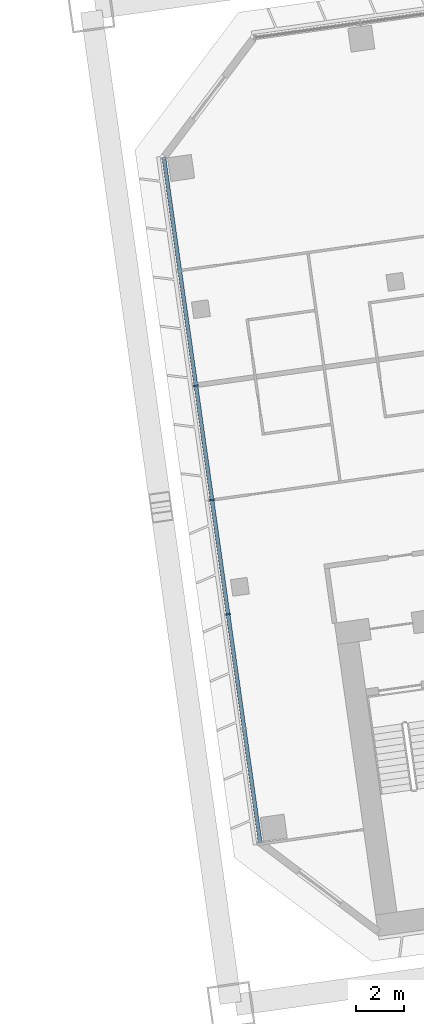
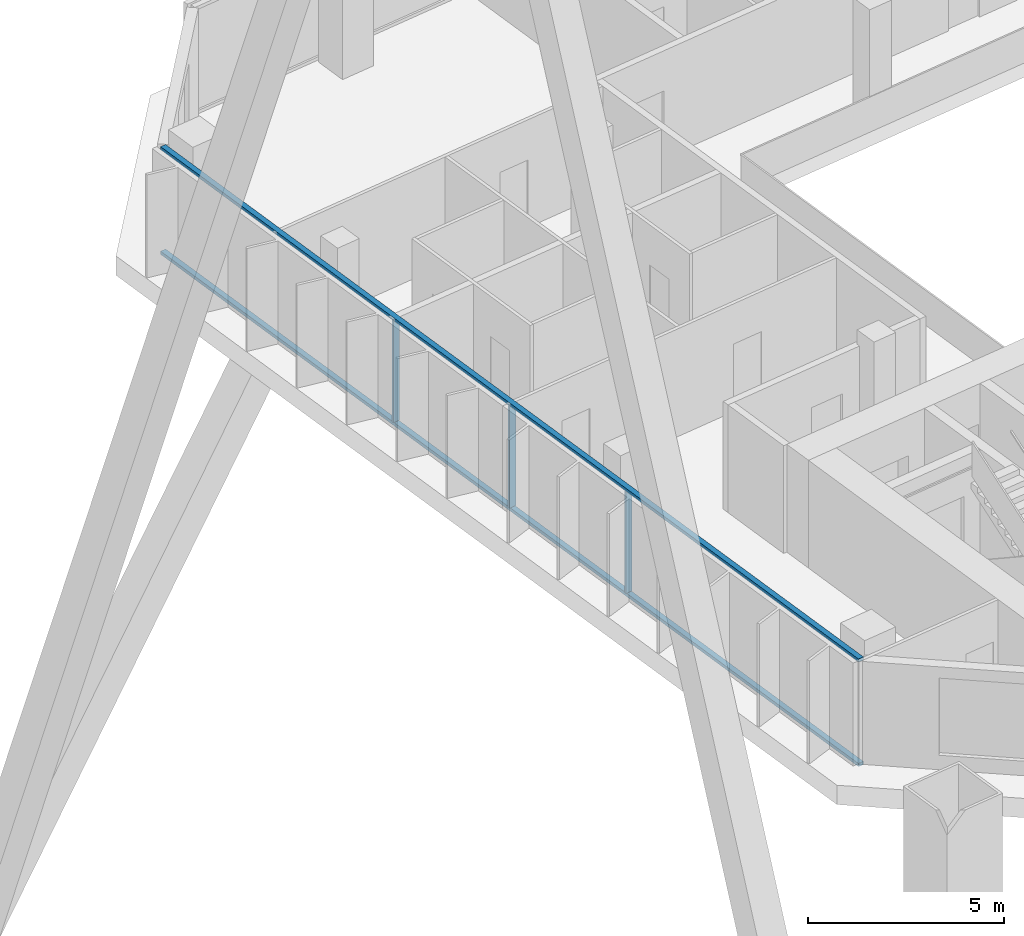
# One storey, part 23 of 49: 5 members, 1 element without a shape of its own.
"""IFC4 building model written with IfcOpenShell, lengths in metres."""

from ifc_helpers import new_model, si_unit, direction, frame, origin, origin_2d, place, context, subcontext, project, spatial, rectangle, extrude, material, material_profile, profile_set, type_object, element, aggregate, save


model = new_model("IFC4")

# Units and contexts
model_context = context("Model", 3, precision=1e-05, world=origin(), true_north=direction((0.0, 1.0)))
body_context = subcontext(model_context, "Body", "Model", "MODEL_VIEW")
ifc_project = project(units=[si_unit("LENGTHUNIT", "METRE"), si_unit("AREAUNIT", "SQUARE_METRE"), si_unit("VOLUMEUNIT", "CUBIC_METRE"), si_unit("PLANEANGLEUNIT", "RADIAN"), si_unit("MASSUNIT", "GRAM", prefix="KILO")], contexts=[model_context])

# Site, building, storey
site_placement = place(None, origin())
site = spatial("IfcSite", under=ifc_project, at=site_placement, CompositionType="ELEMENT")
building_placement = place(site_placement, origin())
building = spatial("IfcBuilding", under=site, at=building_placement, Name="Mirante Cascada Hotel Towers", CompositionType="ELEMENT")
storey_placement = place(building_placement, frame((0.0, 0.0, 66.1)))
storey = spatial("IfcBuildingStorey", under=building, at=storey_placement, Name="L13", CompositionType="ELEMENT", Elevation=66.1)

# Curtain wall, members
ifc_material_1 = material(Name="Aluminium mullion and transom frame with clear laminated glass", Category="aluminium")
curtain_wall_type = type_object("IfcCurtainWallType", Name="End ribbon curtain wall ECW2", PredefinedType="NOTDEFINED", material=ifc_material_1)
curtain_wall_placement = place(storey_placement, origin())
curtain_wall = element("IfcCurtainWall", 1, at=curtain_wall_placement, inside=storey, type_object=curtain_wall_type, Name="Inner end wall T2 L13", PredefinedType="NOTDEFINED")
ifc_material_2 = material(Name="Anodised aluminium extrusion", Category="aluminium")
ifc_material_profile_1 = material_profile(ifc_material_2, rectangle(XDim=0.2, YDim=0.065, at=origin_2d()), Name="ECW2 MULLION 65x200")
ifc_profile_set_1 = profile_set([ifc_material_profile_1], Name="Anodised aluminium extrusion")
member_type_1 = type_object("IfcMemberType", Name="ECW2 mullion 65x200", PredefinedType="MULLION", material=ifc_profile_set_1)
member_1_placement = place(storey_placement, frame((29.4788, 2.7867, 0.1), z_axis=(0.0, 0.0, 1.0), x_axis=(0.9902681, 0.1391731, 0.0)))
member_1 = element("IfcMember", 2, at=member_1_placement, type_object=member_type_1, Name="ECW2 mullion 3", PredefinedType="MULLION", context=body_context, shape_type="SweptSolid", body=[
    extrude(rectangle(XDim=0.2, YDim=0.065, at=origin_2d()), origin(), (0.0, 0.0, 1.0), 3.15),
])
member_2_placement = place(storey_placement, frame((30.1485, -1.9791, 0.1), z_axis=(0.0, 0.0, 1.0), x_axis=(0.9902681, 0.1391731, 0.0)))
member_2 = element("IfcMember", 3, at=member_2_placement, type_object=member_type_1, Name="ECW2 mullion 4", PredefinedType="MULLION", context=body_context, shape_type="SweptSolid", body=[
    extrude(rectangle(XDim=0.2, YDim=0.065, at=origin_2d()), origin(), (0.0, 0.0, 1.0), 3.15),
])
member_3_placement = place(storey_placement, frame((30.8183, -6.7449, 0.1), z_axis=(0.0, 0.0, 1.0), x_axis=(0.9902681, 0.1391731, 0.0)))
member_3 = element("IfcMember", 4, at=member_3_placement, type_object=member_type_1, Name="ECW2 mullion 5", PredefinedType="MULLION", context=body_context, shape_type="SweptSolid", body=[
    extrude(rectangle(XDim=0.2, YDim=0.065, at=origin_2d()), origin(), (0.0, 0.0, 1.0), 3.15),
])
ifc_material_3 = material(Name="Anodised aluminium extrusion", Category="aluminium")
ifc_material_profile_2 = material_profile(ifc_material_3, rectangle(XDim=0.16, YDim=0.1, at=origin_2d()), Name="ECW2 TRANSOM 100x160")
ifc_profile_set_2 = profile_set([ifc_material_profile_2], Name="Anodised aluminium extrusion")
member_type_2 = type_object("IfcMemberType", Name="ECW2 transom 100x160", PredefinedType="USERDEFINED", material=ifc_profile_set_2)
member_4_placement = place(storey_placement, frame((28.1392, 12.3182, 0.05), z_axis=(0.1391723, -0.9902682, 0.0), x_axis=(0.9902682, 0.1391723, 0.0)))
member_4 = element("IfcMember", 5, at=member_4_placement, type_object=member_type_2, Name="ECW2 sill transom", ObjectType="TRANSOM", PredefinedType="USERDEFINED", context=body_context, shape_type="SweptSolid", body=[
    extrude(rectangle(XDim=0.16, YDim=0.1, at=origin_2d()), origin(), (0.0, 0.0, 1.0), 28.8757),
])
member_5_placement = place(storey_placement, frame((28.1392, 12.3182, 3.3), z_axis=(0.1391723, -0.9902682, 0.0), x_axis=(0.9902682, 0.1391723, 0.0)))
member_5 = element("IfcMember", 6, at=member_5_placement, type_object=member_type_2, Name="ECW2 head transom", ObjectType="TRANSOM", PredefinedType="USERDEFINED", context=body_context, shape_type="SweptSolid", body=[
    extrude(rectangle(XDim=0.16, YDim=0.1, at=origin_2d()), origin(), (0.0, 0.0, 1.0), 28.8757),
])
aggregate(curtain_wall, [member_4, member_5, member_1, member_2, member_3])

save(model, "model.ifc")
